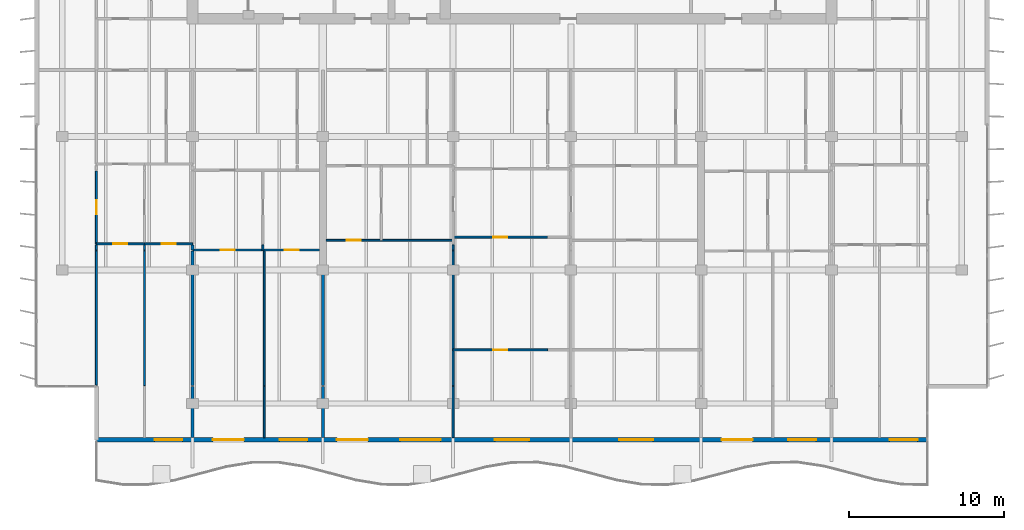
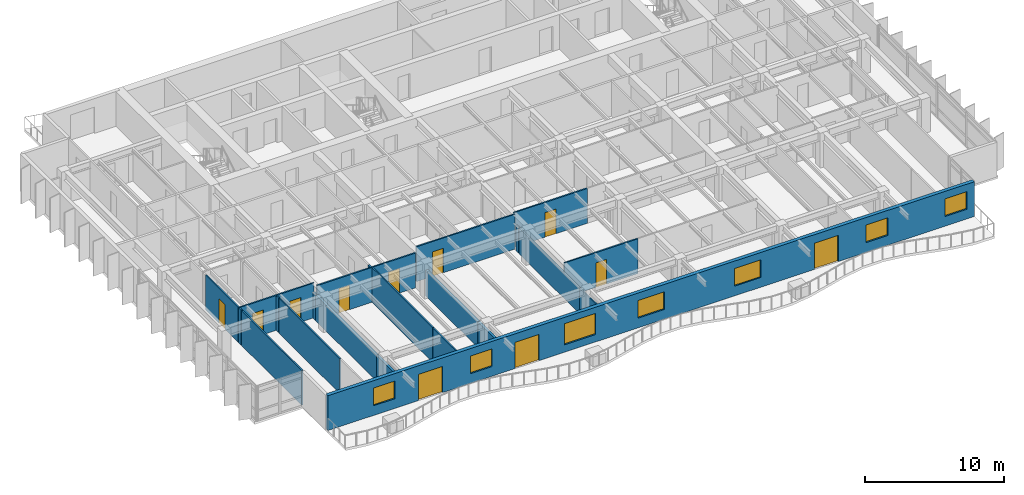
# One storey, part 6 of 17: 23 walls, 11 doors, 7 windows, 18 openings.
"""IFC4 building model written with IfcOpenShell, lengths in metres."""

from ifc_helpers import new_model, si_unit, direction, frame, frame_2d, origin, place, context, subcontext, project, spatial, rectangle, extrude, material, layer, layer_set, type_object, element, fill, save


model = new_model("IFC4")

# Units and contexts
model_context = context("Model", 3, precision=1e-05, world=origin(), true_north=direction((0.0, 1.0)))
body_context = subcontext(model_context, "Body", "Model", "MODEL_VIEW")
ifc_project = project(units=[si_unit("LENGTHUNIT", "METRE"), si_unit("AREAUNIT", "SQUARE_METRE"), si_unit("VOLUMEUNIT", "CUBIC_METRE"), si_unit("PLANEANGLEUNIT", "RADIAN"), si_unit("MASSUNIT", "GRAM", prefix="KILO")], contexts=[model_context])

# Site, building, storey
site_placement = place(None, origin())
site = spatial("IfcSite", under=ifc_project, at=site_placement, CompositionType="ELEMENT")
building_placement = place(site_placement, origin())
building = spatial("IfcBuilding", under=site, at=building_placement, Name="Caelmar Bay Residences", CompositionType="ELEMENT")
storey_placement = place(building_placement, frame((0.0, 0.0, 243.0)))
storey = spatial("IfcBuildingStorey", under=building, at=storey_placement, Name="L68", CompositionType="ELEMENT", Elevation=243.0)

# Wall, openings, doors, windows
ifc_material_1 = material(Name="Precast concrete f'c 40 MPa (6,000 psi)", Category="concrete")
ifc_layer_1 = layer(ifc_material_1, 0.300048828125)
ifc_layer_set_1 = layer_set([ifc_layer_1], Name="Precast concrete f'c 40 MPa (6,000 psi)")
wall_type_1 = type_object("IfcWallType", Name="W-EXT-300", PredefinedType="STANDARD", material=ifc_layer_set_1)
wall_1_placement = place(storey_placement, frame((65.699951171875, 9.85009765625, 0.0), z_axis=(0.0, 0.0, 1.0), x_axis=(-1.0, 0.0, 0.0)))
wall_1 = element("IfcWall", 1, at=wall_1_placement, inside=storey, type_object=wall_type_1, Name="L68 South Bayfront Exterior Wall", PredefinedType="STANDARD", context=body_context, shape_type="SweptSolid", body=[
    extrude(rectangle(XDim=53.599853515625, YDim=0.300048828125, at=frame_2d((26.7998046875, 0.0))), origin(), (0.0, 0.0, 1.0), 3.050048828125),
])
opening_1_placement = place(wall_1_placement, frame((48.050048828125, 0.0, 0.85009765625)))
opening_1 = element("IfcOpeningElement", 2, at=opening_1_placement, cuts=wall_1, Name="Opening WN1", PredefinedType="OPENING", context=body_context, shape_type="SweptSolid", body=[
    extrude(rectangle(XDim=1.800048828125, YDim=1.550048828125, at=frame_2d((0.89990234375, 0.77490234375))), frame((0.0, 0.159912109375, 0.0), z_axis=(0.0, -1.0, 0.0), x_axis=(1.0, 0.0, 0.0)), (0.0, 0.0, 1.0), 0.320068359375),
])
opening_2_placement = place(wall_1_placement, frame((44.090087890625, 0.0, 0.0)))
opening_2 = element("IfcOpeningElement", 3, at=opening_2_placement, cuts=wall_1, Name="Opening L68-BD01", PredefinedType="OPENING", context=body_context, shape_type="SweptSolid", body=[
    extrude(rectangle(XDim=2.0, YDim=2.300048828125, at=frame_2d((1.0, 1.14990234375))), frame((0.0, 0.159912109375, 0.0), z_axis=(0.0, -1.0, 0.0), x_axis=(1.0, 0.0, 0.0)), (0.0, 0.0, 1.0), 0.320068359375),
])
opening_3_placement = place(wall_1_placement, frame((39.989990234375, 0.0, 0.85009765625)))
opening_3 = element("IfcOpeningElement", 4, at=opening_3_placement, cuts=wall_1, Name="Opening WN1", PredefinedType="OPENING", context=body_context, shape_type="SweptSolid", body=[
    extrude(rectangle(XDim=1.800048828125, YDim=1.550048828125, at=frame_2d((0.89990234375, 0.77490234375))), frame((0.0, 0.159912109375, 0.0), z_axis=(0.0, -1.0, 0.0), x_axis=(1.0, 0.0, 0.0)), (0.0, 0.0, 1.0), 0.320068359375),
])
opening_4_placement = place(wall_1_placement, frame((36.090087890625, 0.0, 0.0)))
opening_4 = element("IfcOpeningElement", 5, at=opening_4_placement, cuts=wall_1, Name="Opening L68-BD02", PredefinedType="OPENING", context=body_context, shape_type="SweptSolid", body=[
    extrude(rectangle(XDim=2.0, YDim=2.300048828125, at=frame_2d((1.0, 1.14990234375))), frame((0.0, 0.159912109375, 0.0), z_axis=(0.0, -1.0, 0.0), x_axis=(1.0, 0.0, 0.0)), (0.0, 0.0, 1.0), 0.320068359375),
])
opening_5_placement = place(wall_1_placement, frame((31.409912109375, 0.0, 0.64990234375)))
opening_5 = element("IfcOpeningElement", 6, at=opening_5_placement, cuts=wall_1, Name="Opening WN3", PredefinedType="OPENING", context=body_context, shape_type="SweptSolid", body=[
    extrude(rectangle(XDim=2.60009765625, YDim=1.85009765625, at=frame_2d((1.300048828125, 0.925048828125))), frame((0.0, 0.159912109375, 0.0), z_axis=(0.0, -1.0, 0.0), x_axis=(1.0, 0.0, 0.0)), (0.0, 0.0, 1.0), 0.320068359375),
])
opening_6_placement = place(wall_1_placement, frame((25.699951171875, 0.0, 0.85009765625)))
opening_6 = element("IfcOpeningElement", 7, at=opening_6_placement, cuts=wall_1, Name="Opening WN2", PredefinedType="OPENING", context=body_context, shape_type="SweptSolid", body=[
    extrude(rectangle(XDim=2.199951171875, YDim=1.550048828125, at=frame_2d((1.10009765625, 0.77490234375))), frame((0.0, 0.159912109375, 0.0), z_axis=(0.0, -1.0, 0.0), x_axis=(1.0, 0.0, 0.0)), (0.0, 0.0, 1.0), 0.320068359375),
])
opening_7_placement = place(wall_1_placement, frame((17.699951171875, 0.0, 0.85009765625)))
opening_7 = element("IfcOpeningElement", 8, at=opening_7_placement, cuts=wall_1, Name="Opening WN2", PredefinedType="OPENING", context=body_context, shape_type="SweptSolid", body=[
    extrude(rectangle(XDim=2.199951171875, YDim=1.550048828125, at=frame_2d((1.10009765625, 0.77490234375))), frame((0.0, 0.159912109375, 0.0), z_axis=(0.0, -1.0, 0.0), x_axis=(1.0, 0.0, 0.0)), (0.0, 0.0, 1.0), 0.320068359375),
])
opening_8_placement = place(wall_1_placement, frame((11.2900390625, 0.0, 0.0)))
opening_8 = element("IfcOpeningElement", 9, at=opening_8_placement, cuts=wall_1, Name="Opening L68-BD03", PredefinedType="OPENING", context=body_context, shape_type="SweptSolid", body=[
    extrude(rectangle(XDim=2.0, YDim=2.300048828125, at=frame_2d((1.0, 1.14990234375))), frame((0.0, 0.159912109375, 0.0), z_axis=(0.0, -1.0, 0.0), x_axis=(1.0, 0.0, 0.0)), (0.0, 0.0, 1.0), 0.320068359375),
])
opening_9_placement = place(wall_1_placement, frame((7.18994140625, 0.0, 0.85009765625)))
opening_9 = element("IfcOpeningElement", 10, at=opening_9_placement, cuts=wall_1, Name="Opening WN1", PredefinedType="OPENING", context=body_context, shape_type="SweptSolid", body=[
    extrude(rectangle(XDim=1.800048828125, YDim=1.550048828125, at=frame_2d((0.89990234375, 0.77490234375))), frame((0.0, 0.159912109375, 0.0), z_axis=(0.0, -1.0, 0.0), x_axis=(1.0, 0.0, 0.0)), (0.0, 0.0, 1.0), 0.320068359375),
])
opening_10_placement = place(wall_1_placement, frame((0.64990234375, 0.0, 0.85009765625)))
opening_10 = element("IfcOpeningElement", 11, at=opening_10_placement, cuts=wall_1, Name="Opening WN1", PredefinedType="OPENING", context=body_context, shape_type="SweptSolid", body=[
    extrude(rectangle(XDim=1.800048828125, YDim=1.550048828125, at=frame_2d((0.89990234375, 0.77490234375))), frame((0.0, 0.159912109375, 0.0), z_axis=(0.0, -1.0, 0.0), x_axis=(1.0, 0.0, 0.0)), (0.0, 0.0, 1.0), 0.320068359375),
])
ifc_material_2 = material(Name="Anodised bronze thermally broken sliding glass door", Category="glass")
ifc_layer_2 = layer(ifc_material_2, 0.050048828125)
ifc_layer_set_2 = layer_set([ifc_layer_2], Name="Anodised bronze thermally broken sliding glass door")
door_type_1 = type_object("IfcDoorType", Name="D-BAL-2000", OperationType="DOUBLE_DOOR_SLIDING", PredefinedType="DOOR", material=ifc_layer_set_2)
door_1_placement = place(opening_2_placement, origin())
door_1 = element("IfcDoor", 12, at=door_1_placement, inside=storey, type_object=door_type_1, Name="L68 Residence 02 Living Room Balcony Door", OperationType="DOUBLE_DOOR_SLIDING", OverallHeight=2.300048828125, OverallWidth=2.0, PredefinedType="DOOR", context=body_context, shape_type="SweptSolid", body=[
    extrude(rectangle(XDim=2.0, YDim=2.300048828125, at=frame_2d((1.0, 1.14990234375))), frame((0.0, 0.02490234375, 0.0), z_axis=(0.0, -1.0, 0.0), x_axis=(1.0, 0.0, 0.0)), (0.0, 0.0, 1.0), 0.050048828125),
])
fill(opening_2, door_1)
door_2_placement = place(opening_4_placement, origin())
door_2 = element("IfcDoor", 13, at=door_2_placement, inside=storey, type_object=door_type_1, Name="L68 Residence 03 Penthouse Living Salon Balcony Door", OperationType="DOUBLE_DOOR_SLIDING", OverallHeight=2.300048828125, OverallWidth=2.0, PredefinedType="DOOR", context=body_context, shape_type="SweptSolid", body=[
    extrude(rectangle(XDim=2.0, YDim=2.300048828125, at=frame_2d((1.0, 1.14990234375))), frame((0.0, 0.02490234375, 0.0), z_axis=(0.0, -1.0, 0.0), x_axis=(1.0, 0.0, 0.0)), (0.0, 0.0, 1.0), 0.050048828125),
])
fill(opening_4, door_2)
door_3_placement = place(opening_8_placement, origin())
door_3 = element("IfcDoor", 14, at=door_3_placement, inside=storey, type_object=door_type_1, Name="L68 Residence 04 Living Room Balcony Door", OperationType="DOUBLE_DOOR_SLIDING", OverallHeight=2.300048828125, OverallWidth=2.0, PredefinedType="DOOR", context=body_context, shape_type="SweptSolid", body=[
    extrude(rectangle(XDim=2.0, YDim=2.300048828125, at=frame_2d((1.0, 1.14990234375))), frame((0.0, 0.02490234375, 0.0), z_axis=(0.0, -1.0, 0.0), x_axis=(1.0, 0.0, 0.0)), (0.0, 0.0, 1.0), 0.050048828125),
])
fill(opening_8, door_3)
ifc_material_3 = material(Name="Bronze aluminium frame with laminated low-E glass", Category="aluminium")
ifc_layer_3 = layer(ifc_material_3, 0.06005859375)
ifc_layer_set_3 = layer_set([ifc_layer_3], Name="Bronze aluminium frame with laminated low-E glass")
window_type_1 = type_object("IfcWindowType", Name="WIN-BR-1800", PartitioningType="SINGLE_PANEL", PredefinedType="WINDOW", material=ifc_layer_set_3)
window_1_placement = place(opening_1_placement, origin())
window_1 = element("IfcWindow", 15, at=window_1_placement, inside=storey, type_object=window_type_1, Name="L68 Residence 01 Primary Bedroom Window", OverallHeight=1.550048828125, OverallWidth=1.800048828125, PartitioningType="SINGLE_PANEL", PredefinedType="WINDOW", context=body_context, shape_type="SweptSolid", body=[
    extrude(rectangle(XDim=1.800048828125, YDim=1.550048828125, at=frame_2d((0.89990234375, 0.77490234375))), frame((0.0, 0.030029296875, 0.0), z_axis=(0.0, -1.0, 0.0), x_axis=(1.0, 0.0, 0.0)), (0.0, 0.0, 1.0), 0.06005859375),
])
fill(opening_1, window_1)
window_2_placement = place(opening_3_placement, origin())
window_2 = element("IfcWindow", 16, at=window_2_placement, inside=storey, type_object=window_type_1, Name="L68 Residence 02 Primary Bedroom Window", OverallHeight=1.550048828125, OverallWidth=1.800048828125, PartitioningType="SINGLE_PANEL", PredefinedType="WINDOW", context=body_context, shape_type="SweptSolid", body=[
    extrude(rectangle(XDim=1.800048828125, YDim=1.550048828125, at=frame_2d((0.89990234375, 0.77490234375))), frame((0.0, 0.030029296875, 0.0), z_axis=(0.0, -1.0, 0.0), x_axis=(1.0, 0.0, 0.0)), (0.0, 0.0, 1.0), 0.06005859375),
])
fill(opening_3, window_2)
window_3_placement = place(opening_9_placement, origin())
window_3 = element("IfcWindow", 17, at=window_3_placement, inside=storey, type_object=window_type_1, Name="L68 Residence 04 Primary Bedroom Window", OverallHeight=1.550048828125, OverallWidth=1.800048828125, PartitioningType="SINGLE_PANEL", PredefinedType="WINDOW", context=body_context, shape_type="SweptSolid", body=[
    extrude(rectangle(XDim=1.800048828125, YDim=1.550048828125, at=frame_2d((0.89990234375, 0.77490234375))), frame((0.0, 0.030029296875, 0.0), z_axis=(0.0, -1.0, 0.0), x_axis=(1.0, 0.0, 0.0)), (0.0, 0.0, 1.0), 0.06005859375),
])
fill(opening_9, window_3)
window_4_placement = place(opening_10_placement, origin())
window_4 = element("IfcWindow", 18, at=window_4_placement, inside=storey, type_object=window_type_1, Name="L68 Residence 05 Primary Bedroom Window", OverallHeight=1.550048828125, OverallWidth=1.800048828125, PartitioningType="SINGLE_PANEL", PredefinedType="WINDOW", context=body_context, shape_type="SweptSolid", body=[
    extrude(rectangle(XDim=1.800048828125, YDim=1.550048828125, at=frame_2d((0.89990234375, 0.77490234375))), frame((0.0, 0.030029296875, 0.0), z_axis=(0.0, -1.0, 0.0), x_axis=(1.0, 0.0, 0.0)), (0.0, 0.0, 1.0), 0.06005859375),
])
fill(opening_10, window_4)
ifc_layer_4 = layer(ifc_material_3, 0.06005859375)
ifc_layer_set_4 = layer_set([ifc_layer_4], Name="Bronze aluminium frame with laminated low-E glass")
window_type_2 = type_object("IfcWindowType", Name="WIN-BR-2200", PartitioningType="SINGLE_PANEL", PredefinedType="WINDOW", material=ifc_layer_set_4)
window_5_placement = place(opening_6_placement, origin())
window_5 = element("IfcWindow", 19, at=window_5_placement, inside=storey, type_object=window_type_2, Name="L68 Residence 03 Primary Bedroom 1 Window", OverallHeight=1.550048828125, OverallWidth=2.199951171875, PartitioningType="SINGLE_PANEL", PredefinedType="WINDOW", context=body_context, shape_type="SweptSolid", body=[
    extrude(rectangle(XDim=2.199951171875, YDim=1.550048828125, at=frame_2d((1.10009765625, 0.77490234375))), frame((0.0, 0.030029296875, 0.0), z_axis=(0.0, -1.0, 0.0), x_axis=(1.0, 0.0, 0.0)), (0.0, 0.0, 1.0), 0.06005859375),
])
fill(opening_6, window_5)
window_6_placement = place(opening_7_placement, origin())
window_6 = element("IfcWindow", 20, at=window_6_placement, inside=storey, type_object=window_type_2, Name="L68 Residence 03 Primary Bedroom 2 Window", OverallHeight=1.550048828125, OverallWidth=2.199951171875, PartitioningType="SINGLE_PANEL", PredefinedType="WINDOW", context=body_context, shape_type="SweptSolid", body=[
    extrude(rectangle(XDim=2.199951171875, YDim=1.550048828125, at=frame_2d((1.10009765625, 0.77490234375))), frame((0.0, 0.030029296875, 0.0), z_axis=(0.0, -1.0, 0.0), x_axis=(1.0, 0.0, 0.0)), (0.0, 0.0, 1.0), 0.06005859375),
])
fill(opening_7, window_6)
ifc_layer_5 = layer(ifc_material_3, 0.06005859375)
ifc_layer_set_5 = layer_set([ifc_layer_5], Name="Bronze aluminium frame with laminated low-E glass")
window_type_3 = type_object("IfcWindowType", Name="WIN-LIV-2600", PartitioningType="SINGLE_PANEL", PredefinedType="WINDOW", material=ifc_layer_set_5)
window_7_placement = place(opening_5_placement, origin())
window_7 = element("IfcWindow", 21, at=window_7_placement, inside=storey, type_object=window_type_3, Name="L68 Residence 03 Penthouse Living Salon Panoramic Window", OverallHeight=1.85009765625, OverallWidth=2.60009765625, PartitioningType="SINGLE_PANEL", PredefinedType="WINDOW", context=body_context, shape_type="SweptSolid", body=[
    extrude(rectangle(XDim=2.60009765625, YDim=1.85009765625, at=frame_2d((1.300048828125, 0.925048828125))), frame((0.0, 0.030029296875, 0.0), z_axis=(0.0, -1.0, 0.0), x_axis=(1.0, 0.0, 0.0)), (0.0, 0.0, 1.0), 0.06005859375),
])
fill(opening_5, window_7)

# Walls
ifc_material_4 = material(Name="Acoustic metal-stud gypsum partition 120 mm")
ifc_layer_6 = layer(ifc_material_4, 0.1201171875)
ifc_layer_set_6 = layer_set([ifc_layer_6], Name="Acoustic metal-stud gypsum partition 120 mm")
wall_type_2 = type_object("IfcWallType", Name="W-PRT-120", PredefinedType="PARTITIONING", material=ifc_layer_set_6)
wall_2_placement = place(storey_placement, frame((12.10009765625, 13.385009765625, 0.0), z_axis=(0.0, 0.0, 1.0), x_axis=(0.0, 1.0, 0.0)))
element("IfcWall", 22, at=wall_2_placement, inside=storey, type_object=wall_type_2, Name="L68 Partition Wall V001", PredefinedType="PARTITIONING", context=body_context, shape_type="SweptSolid", body=[
    extrude(rectangle(XDim=8.64501953125, YDim=0.1201171875, at=frame_2d((4.322509765625, 0.0))), origin(), (0.0, 0.0, 1.0), 3.050048828125),
])
wall_3_placement = place(storey_placement, frame((12.10009765625, 22.090087890625, 0.0), z_axis=(0.0, 0.0, 1.0), x_axis=(0.0, 1.0, 0.0)))
element("IfcWall", 23, at=wall_3_placement, inside=storey, type_object=wall_type_2, Name="L68 Partition Wall V002", PredefinedType="PARTITIONING", context=body_context, shape_type="SweptSolid", body=[
    extrude(rectangle(XDim=0.33984375, YDim=0.1201171875, at=frame_2d((0.169921875, 0.0))), origin(), (0.0, 0.0, 1.0), 3.050048828125),
])

# Wall, opening, door
wall_4_placement = place(storey_placement, frame((12.10009765625, 22.489990234375, 0.0), z_axis=(0.0, 0.0, 1.0), x_axis=(0.0, 1.0, 0.0)))
wall_4 = element("IfcWall", 24, at=wall_4_placement, inside=storey, type_object=wall_type_2, Name="L68 Partition Wall V003", PredefinedType="PARTITIONING", context=body_context, shape_type="SweptSolid", body=[
    extrude(rectangle(XDim=4.68994140625, YDim=0.1201171875, at=frame_2d((2.344970703125, 0.0))), origin(), (0.0, 0.0, 1.0), 3.050048828125),
])
opening_11_placement = place(wall_4_placement, frame((1.89501953125, 0.0, 0.0)))
opening_11 = element("IfcOpeningElement", 25, at=opening_11_placement, cuts=wall_4, Name="Opening D-L68-160", PredefinedType="OPENING", context=body_context, shape_type="SweptSolid", body=[
    extrude(rectangle(XDim=0.89990234375, YDim=2.14990234375, at=frame_2d((0.449951171875, 1.074951171875))), frame((0.0, 0.070068359375, 0.0), z_axis=(0.0, -1.0, 0.0), x_axis=(1.0, 0.0, 0.0)), (0.0, 0.0, 1.0), 0.14013671875),
])
ifc_material_5 = material(Name="Solid walnut timber interior door leaf and frame", Category="wood")
ifc_layer_7 = layer(ifc_material_5, 0.050048828125)
ifc_layer_set_7 = layer_set([ifc_layer_7], Name="Solid walnut timber interior door leaf and frame")
door_type_2 = type_object("IfcDoorType", Name="D-ROOM-900", OperationType="NOTDEFINED", PredefinedType="DOOR", material=ifc_layer_set_7)
door_4_placement = place(opening_11_placement, origin())
door_4 = element("IfcDoor", 26, at=door_4_placement, inside=storey, type_object=door_type_2, Name="L68 Residence 01 Penthouse West Salon Door", OperationType="SINGLE_SWING_RIGHT", OverallHeight=2.14990234375, OverallWidth=0.89990234375, PredefinedType="DOOR", context=body_context, shape_type="SweptSolid", body=[
    extrude(rectangle(XDim=0.89990234375, YDim=2.14990234375, at=frame_2d((0.449951171875, 1.074951171875))), frame((0.0, 0.02490234375, 0.0), z_axis=(0.0, -1.0, 0.0), x_axis=(1.0, 0.0, 0.0)), (0.0, 0.0, 1.0), 0.050048828125),
])
fill(opening_11, door_4)

# Walls
wall_5_placement = place(storey_placement, frame((15.199951171875, 13.340087890625, 0.0), z_axis=(0.0, 0.0, 1.0), x_axis=(0.0, 1.0, 0.0)))
element("IfcWall", 27, at=wall_5_placement, inside=storey, type_object=wall_type_2, Name="L68 Partition Wall V011", PredefinedType="PARTITIONING", context=body_context, shape_type="SweptSolid", body=[
    extrude(rectangle(XDim=8.68994140625, YDim=0.1201171875, at=frame_2d((4.344970703125, 0.0))), origin(), (0.0, 0.0, 1.0), 3.050048828125),
])
for number, where, z_axis, x_axis, name in (
    (28, (15.199951171875, 22.090087890625, 0.0), (0.0, 0.0, 1.0), (0.0, 1.0, 0.0), "L68 Partition Wall V012"),
    (29, (22.8359375, 22.090087890625, 0.0), (0.0, 0.0, 1.0), (0.0, 1.0, 0.0), "L68 Partition Wall V022"),
):
    element("IfcWall", number, at=place(storey_placement, frame(where, z_axis=z_axis, x_axis=x_axis)), inside=storey, type_object=wall_type_2, Name=name, PredefinedType="PARTITIONING", context=body_context, shape_type="SweptSolid", body=[
        extrude(rectangle(XDim=0.33984375, YDim=0.1201171875, at=frame_2d((0.169921875, 0.0))), origin(), (0.0, 0.0, 1.0), 3.050048828125),
    ])
wall_6_placement = place(storey_placement, frame((22.919921875, 9.9951171875, 0.0), z_axis=(0.0, 0.0, 1.0), x_axis=(0.0, 1.0, 0.0)))
element("IfcWall", 30, at=wall_6_placement, inside=storey, type_object=wall_type_2, Name="L68 Partition Wall V024", PredefinedType="PARTITIONING", context=body_context, shape_type="SweptSolid", body=[
    extrude(rectangle(XDim=3.304931640625, YDim=0.1201171875, at=frame_2d((1.65234375, 0.0))), origin(), (0.0, 0.0, 1.0), 3.050048828125),
])
wall_7_placement = place(storey_placement, frame((22.919921875, 13.340087890625, 0.0), z_axis=(0.0, 0.0, 1.0), x_axis=(0.0, 1.0, 0.0)))
element("IfcWall", 31, at=wall_7_placement, inside=storey, type_object=wall_type_2, Name="L68 Partition Wall V025", PredefinedType="PARTITIONING", context=body_context, shape_type="SweptSolid", body=[
    extrude(rectangle(XDim=8.68994140625, YDim=0.1201171875, at=frame_2d((4.344970703125, 0.0))), origin(), (0.0, 0.0, 1.0), 3.050048828125),
])
wall_8_placement = place(storey_placement, frame((35.10009765625, 9.9951171875, 0.0), z_axis=(0.0, 0.0, 1.0), x_axis=(0.0, 1.0, 0.0)))
element("IfcWall", 32, at=wall_8_placement, inside=storey, type_object=wall_type_2, Name="L68 Partition Wall V038", PredefinedType="PARTITIONING", context=body_context, shape_type="SweptSolid", body=[
    extrude(rectangle(XDim=3.304931640625, YDim=0.1201171875, at=frame_2d((1.65234375, 0.0))), origin(), (0.0, 0.0, 1.0), 2.262939453125),
])
wall_9_placement = place(storey_placement, frame((35.10009765625, 13.340087890625, 0.0), z_axis=(0.0, 0.0, 1.0), x_axis=(0.0, 1.0, 0.0)))
element("IfcWall", 33, at=wall_9_placement, inside=storey, type_object=wall_type_2, Name="L68 Partition Wall V039", PredefinedType="PARTITIONING", context=body_context, shape_type="SweptSolid", body=[
    extrude(rectangle(XDim=8.68994140625, YDim=0.1201171875, at=frame_2d((4.344970703125, 0.0))), origin(), (0.0, 0.0, 1.0), 2.262939453125),
])
wall_10_placement = place(storey_placement, frame((35.10009765625, 22.090087890625, 0.0), z_axis=(0.0, 0.0, 1.0), x_axis=(0.0, 1.0, 0.0)))
element("IfcWall", 34, at=wall_10_placement, inside=storey, type_object=wall_type_2, Name="L68 Partition Wall V040", PredefinedType="PARTITIONING", context=body_context, shape_type="SweptSolid", body=[
    extrude(rectangle(XDim=0.33984375, YDim=0.1201171875, at=frame_2d((0.169921875, 0.0))), origin(), (0.0, 0.0, 1.0), 2.262939453125),
])

# Wall, opening, door
wall_11_placement = place(storey_placement, frame((35.10009765625, 15.64990234375, 0.0), z_axis=(0.0, 0.0, 1.0), x_axis=(1.0, 0.0, 0.0)))
wall_11 = element("IfcWall", 35, at=wall_11_placement, inside=storey, type_object=wall_type_2, Name="L68 Partition Wall H089", PredefinedType="PARTITIONING", context=body_context, shape_type="SweptSolid", body=[
    extrude(rectangle(XDim=6.094970703125, YDim=0.1201171875, at=frame_2d((3.04736328125, 0.0))), origin(), (0.0, 0.0, 1.0), 3.050048828125),
])
opening_12_placement = place(wall_11_placement, frame((2.597412109375, 0.0, 0.0)))
opening_12 = element("IfcOpeningElement", 36, at=opening_12_placement, cuts=wall_11, Name="Opening D-L68-143", PredefinedType="OPENING", context=body_context, shape_type="SweptSolid", body=[
    extrude(rectangle(XDim=0.89990234375, YDim=2.14990234375, at=frame_2d((0.449951171875, 1.074951171875))), frame((0.0, 0.070068359375, 0.0), z_axis=(0.0, -1.0, 0.0), x_axis=(1.0, 0.0, 0.0)), (0.0, 0.0, 1.0), 0.14013671875),
])
door_5_placement = place(opening_12_placement, origin())
door_5 = element("IfcDoor", 37, at=door_5_placement, inside=storey, type_object=door_type_2, Name="L68 Residence 03 Primary Bedroom 1 Door", OperationType="SINGLE_SWING_LEFT", OverallHeight=2.14990234375, OverallWidth=0.89990234375, PredefinedType="DOOR", context=body_context, shape_type="SweptSolid", body=[
    extrude(rectangle(XDim=0.89990234375, YDim=2.14990234375, at=frame_2d((0.449951171875, 1.074951171875))), frame((0.0, 0.02490234375, 0.0), z_axis=(0.0, -1.0, 0.0), x_axis=(1.0, 0.0, 0.0)), (0.0, 0.0, 1.0), 0.050048828125),
])
fill(opening_12, door_5)

# Wall, openings, doors
wall_12_placement = place(storey_placement, frame((18.300048828125, 22.090087890625, 0.0), z_axis=(0.0, 0.0, 1.0), x_axis=(1.0, 0.0, 0.0)))
wall_12 = element("IfcWall", 38, at=wall_12_placement, inside=storey, type_object=wall_type_2, Name="L68 Partition Wall H092", PredefinedType="PARTITIONING", context=body_context, shape_type="SweptSolid", body=[
    extrude(rectangle(XDim=8.179931640625, YDim=0.1201171875, at=frame_2d((4.08984375, 0.0))), origin(), (0.0, 0.0, 1.0), 3.050048828125),
])
opening_13_placement = place(wall_12_placement, frame((1.818115234375, 0.0, 0.0)))
opening_13 = element("IfcOpeningElement", 39, at=opening_13_placement, cuts=wall_12, Name="Opening D-L68-132", PredefinedType="OPENING", context=body_context, shape_type="SweptSolid", body=[
    extrude(rectangle(XDim=0.89990234375, YDim=2.14990234375, at=frame_2d((0.449951171875, 1.074951171875))), frame((0.0, 0.070068359375, 0.0), z_axis=(0.0, -1.0, 0.0), x_axis=(1.0, 0.0, 0.0)), (0.0, 0.0, 1.0), 0.14013671875),
])
opening_14_placement = place(wall_12_placement, frame((5.949951171875, 0.0, 0.0)))
opening_14 = element("IfcOpeningElement", 40, at=opening_14_placement, cuts=wall_12, Name="Opening D-L68-133", PredefinedType="OPENING", context=body_context, shape_type="SweptSolid", body=[
    extrude(rectangle(XDim=0.89990234375, YDim=2.14990234375, at=frame_2d((0.449951171875, 1.074951171875))), frame((0.0, 0.070068359375, 0.0), z_axis=(0.0, -1.0, 0.0), x_axis=(1.0, 0.0, 0.0)), (0.0, 0.0, 1.0), 0.14013671875),
])
door_6_placement = place(opening_13_placement, origin())
door_6 = element("IfcDoor", 41, at=door_6_placement, inside=storey, type_object=door_type_2, Name="L68 Residence 02 Living Room Door", OperationType="SINGLE_SWING_RIGHT", OverallHeight=2.14990234375, OverallWidth=0.89990234375, PredefinedType="DOOR", context=body_context, shape_type="SweptSolid", body=[
    extrude(rectangle(XDim=0.89990234375, YDim=2.14990234375, at=frame_2d((0.449951171875, 1.074951171875))), frame((0.0, 0.02490234375, 0.0), z_axis=(0.0, -1.0, 0.0), x_axis=(1.0, 0.0, 0.0)), (0.0, 0.0, 1.0), 0.050048828125),
])
fill(opening_13, door_6)
door_7_placement = place(opening_14_placement, origin())
door_7 = element("IfcDoor", 42, at=door_7_placement, inside=storey, type_object=door_type_2, Name="L68 Residence 02 Primary Bedroom Door", OperationType="SINGLE_SWING_LEFT", OverallHeight=2.14990234375, OverallWidth=0.89990234375, PredefinedType="DOOR", context=body_context, shape_type="SweptSolid", body=[
    extrude(rectangle(XDim=0.89990234375, YDim=2.14990234375, at=frame_2d((0.449951171875, 1.074951171875))), frame((0.0, 0.02490234375, 0.0), z_axis=(0.0, -1.0, 0.0), x_axis=(1.0, 0.0, 0.0)), (0.0, 0.0, 1.0), 0.050048828125),
])
fill(opening_14, door_7)

# Wall, opening, door
wall_13_placement = place(storey_placement, frame((12.10009765625, 22.489990234375, 0.0), z_axis=(0.0, 0.0, 1.0), x_axis=(1.0, 0.0, 0.0)))
wall_13 = element("IfcWall", 43, at=wall_13_placement, inside=storey, type_object=wall_type_2, Name="L68 Partition Wall H094", PredefinedType="PARTITIONING", context=body_context, shape_type="SweptSolid", body=[
    extrude(rectangle(XDim=3.097900390625, YDim=0.1201171875, at=frame_2d((1.548828125, 0.0))), origin(), (0.0, 0.0, 1.0), 3.050048828125),
])
opening_15_placement = place(wall_13_placement, frame((1.09912109375, 0.0, 0.0)))
opening_15 = element("IfcOpeningElement", 44, at=opening_15_placement, cuts=wall_13, Name="Opening D-L68-126", PredefinedType="OPENING", context=body_context, shape_type="SweptSolid", body=[
    extrude(rectangle(XDim=0.89990234375, YDim=2.14990234375, at=frame_2d((0.449951171875, 1.074951171875))), frame((0.0, 0.070068359375, 0.0), z_axis=(0.0, -1.0, 0.0), x_axis=(1.0, 0.0, 0.0)), (0.0, 0.0, 1.0), 0.14013671875),
])
door_8_placement = place(opening_15_placement, origin())
door_8 = element("IfcDoor", 45, at=door_8_placement, inside=storey, type_object=door_type_2, Name="L68 Residence 01 Living Room Door", OperationType="SINGLE_SWING_RIGHT", OverallHeight=2.14990234375, OverallWidth=0.89990234375, PredefinedType="DOOR", context=body_context, shape_type="SweptSolid", body=[
    extrude(rectangle(XDim=0.89990234375, YDim=2.14990234375, at=frame_2d((0.449951171875, 1.074951171875))), frame((0.0, 0.02490234375, 0.0), z_axis=(0.0, -1.0, 0.0), x_axis=(1.0, 0.0, 0.0)), (0.0, 0.0, 1.0), 0.050048828125),
])
fill(opening_15, door_8)

wall_14_placement = place(storey_placement, frame((15.202880859375, 22.489990234375, 0.0), z_axis=(0.0, 0.0, 1.0), x_axis=(1.0, 0.0, 0.0)))
wall_14 = element("IfcWall", 46, at=wall_14_placement, inside=storey, type_object=wall_type_2, Name="L68 Partition Wall H095", PredefinedType="PARTITIONING", context=body_context, shape_type="SweptSolid", body=[
    extrude(rectangle(XDim=3.09716796875, YDim=0.1201171875, at=frame_2d((1.548583984375, 0.0))), origin(), (0.0, 0.0, 1.0), 3.050048828125),
])
opening_16_placement = place(wall_14_placement, frame((1.098388671875, 0.0, 0.0)))
opening_16 = element("IfcOpeningElement", 47, at=opening_16_placement, cuts=wall_14, Name="Opening D-L68-127", PredefinedType="OPENING", context=body_context, shape_type="SweptSolid", body=[
    extrude(rectangle(XDim=0.89990234375, YDim=2.14990234375, at=frame_2d((0.449951171875, 1.074951171875))), frame((0.0, 0.070068359375, 0.0), z_axis=(0.0, -1.0, 0.0), x_axis=(1.0, 0.0, 0.0)), (0.0, 0.0, 1.0), 0.14013671875),
])
door_9_placement = place(opening_16_placement, origin())
door_9 = element("IfcDoor", 48, at=door_9_placement, inside=storey, type_object=door_type_2, Name="L68 Residence 01 Primary Bedroom Door", OperationType="SINGLE_SWING_LEFT", OverallHeight=2.14990234375, OverallWidth=0.89990234375, PredefinedType="DOOR", context=body_context, shape_type="SweptSolid", body=[
    extrude(rectangle(XDim=0.89990234375, YDim=2.14990234375, at=frame_2d((0.449951171875, 1.074951171875))), frame((0.0, 0.02490234375, 0.0), z_axis=(0.0, -1.0, 0.0), x_axis=(1.0, 0.0, 0.0)), (0.0, 0.0, 1.0), 0.050048828125),
])
fill(opening_16, door_9)

wall_15_placement = place(storey_placement, frame((26.919921875, 22.719970703125, 0.0), z_axis=(0.0, 0.0, 1.0), x_axis=(1.0, 0.0, 0.0)))
wall_15 = element("IfcWall", 49, at=wall_15_placement, inside=storey, type_object=wall_type_2, Name="L68 Partition Wall H096", PredefinedType="PARTITIONING", context=body_context, shape_type="SweptSolid", body=[
    extrude(rectangle(XDim=8.18017578125, YDim=0.1201171875, at=frame_2d((4.090087890625, 0.0))), origin(), (0.0, 0.0, 1.0), 3.050048828125),
])
opening_17_placement = place(wall_15_placement, frame((1.330078125, 0.0, 0.0)))
opening_17 = element("IfcOpeningElement", 50, at=opening_17_placement, cuts=wall_15, Name="Opening D-L68-138", PredefinedType="OPENING", context=body_context, shape_type="SweptSolid", body=[
    extrude(rectangle(XDim=0.89990234375, YDim=2.14990234375, at=frame_2d((0.449951171875, 1.074951171875))), frame((0.0, 0.070068359375, 0.0), z_axis=(0.0, -1.0, 0.0), x_axis=(1.0, 0.0, 0.0)), (0.0, 0.0, 1.0), 0.14013671875),
])
door_10_placement = place(opening_17_placement, origin())
door_10 = element("IfcDoor", 51, at=door_10_placement, inside=storey, type_object=door_type_2, Name="L68 Residence 03 Penthouse Living Salon Door", OperationType="SINGLE_SWING_RIGHT", OverallHeight=2.14990234375, OverallWidth=0.89990234375, PredefinedType="DOOR", context=body_context, shape_type="SweptSolid", body=[
    extrude(rectangle(XDim=0.89990234375, YDim=2.14990234375, at=frame_2d((0.449951171875, 1.074951171875))), frame((0.0, 0.02490234375, 0.0), z_axis=(0.0, -1.0, 0.0), x_axis=(1.0, 0.0, 0.0)), (0.0, 0.0, 1.0), 0.050048828125),
])
fill(opening_17, door_10)

wall_16_placement = place(storey_placement, frame((35.10009765625, 22.919921875, 0.0), z_axis=(0.0, 0.0, 1.0), x_axis=(1.0, 0.0, 0.0)))
wall_16 = element("IfcWall", 52, at=wall_16_placement, inside=storey, type_object=wall_type_2, Name="L68 Partition Wall H098", PredefinedType="PARTITIONING", context=body_context, shape_type="SweptSolid", body=[
    extrude(rectangle(XDim=6.094970703125, YDim=0.1201171875, at=frame_2d((3.04736328125, 0.0))), origin(), (0.0, 0.0, 1.0), 3.050048828125),
])
opening_18_placement = place(wall_16_placement, frame((2.597412109375, 0.0, 0.0)))
opening_18 = element("IfcOpeningElement", 53, at=opening_18_placement, cuts=wall_16, Name="Opening D-L68-142", PredefinedType="OPENING", context=body_context, shape_type="SweptSolid", body=[
    extrude(rectangle(XDim=0.89990234375, YDim=2.14990234375, at=frame_2d((0.449951171875, 1.074951171875))), frame((0.0, 0.070068359375, 0.0), z_axis=(0.0, -1.0, 0.0), x_axis=(1.0, 0.0, 0.0)), (0.0, 0.0, 1.0), 0.14013671875),
])
door_11_placement = place(opening_18_placement, origin())
door_11 = element("IfcDoor", 54, at=door_11_placement, inside=storey, type_object=door_type_2, Name="L68 Residence 03 Penthouse Sitting Salon 1 Door", OperationType="SINGLE_SWING_RIGHT", OverallHeight=2.14990234375, OverallWidth=0.89990234375, PredefinedType="DOOR", context=body_context, shape_type="SweptSolid", body=[
    extrude(rectangle(XDim=0.89990234375, YDim=2.14990234375, at=frame_2d((0.449951171875, 1.074951171875))), frame((0.0, 0.02490234375, 0.0), z_axis=(0.0, -1.0, 0.0), x_axis=(1.0, 0.0, 0.0)), (0.0, 0.0, 1.0), 0.050048828125),
])
fill(opening_18, door_11)

# Walls
ifc_material_6 = material(Name="Acoustic twin-stud fire-rated inter-tenancy partition 200 mm")
ifc_layer_8 = layer(ifc_material_6, 0.199951171875)
ifc_layer_set_8 = layer_set([ifc_layer_8], Name="Acoustic twin-stud fire-rated inter-tenancy partition 200 mm")
wall_type_3 = type_object("IfcWallType", Name="W-PTY-200", PredefinedType="PARTITIONING", material=ifc_layer_set_8)
wall_17_placement = place(storey_placement, frame((18.300048828125, 9.9951171875, 0.0), z_axis=(0.0, 0.0, 1.0), x_axis=(0.0, 1.0, 0.0)))
element("IfcWall", 55, at=wall_17_placement, inside=storey, type_object=wall_type_3, Name="L68 Partition Wall V015", PredefinedType="PARTITIONING", context=body_context, shape_type="SweptSolid", body=[
    extrude(rectangle(XDim=3.304931640625, YDim=0.199951171875, at=frame_2d((1.65234375, 0.0))), origin(), (0.0, 0.0, 1.0), 2.262939453125),
])
wall_18_placement = place(storey_placement, frame((18.300048828125, 13.340087890625, 0.0), z_axis=(0.0, 0.0, 1.0), x_axis=(0.0, 1.0, 0.0)))
element("IfcWall", 56, at=wall_18_placement, inside=storey, type_object=wall_type_3, Name="L68 Partition Wall V016", PredefinedType="PARTITIONING", context=body_context, shape_type="SweptSolid", body=[
    extrude(rectangle(XDim=8.68994140625, YDim=0.199951171875, at=frame_2d((4.344970703125, 0.0))), origin(), (0.0, 0.0, 1.0), 2.262939453125),
])
wall_19_placement = place(storey_placement, frame((18.300048828125, 22.090087890625, 0.0), z_axis=(0.0, 0.0, 1.0), x_axis=(0.0, 1.0, 0.0)))
element("IfcWall", 57, at=wall_19_placement, inside=storey, type_object=wall_type_3, Name="L68 Partition Wall V017", PredefinedType="PARTITIONING", context=body_context, shape_type="SweptSolid", body=[
    extrude(rectangle(XDim=0.33984375, YDim=0.199951171875, at=frame_2d((0.169921875, 0.0))), origin(), (0.0, 0.0, 1.0), 2.262939453125),
])
wall_20_placement = place(storey_placement, frame((26.699951171875, 9.9951171875, 0.0), z_axis=(0.0, 0.0, 1.0), x_axis=(0.0, 1.0, 0.0)))
element("IfcWall", 58, at=wall_20_placement, inside=storey, type_object=wall_type_3, Name="L68 Partition Wall V029", PredefinedType="PARTITIONING", context=body_context, shape_type="SweptSolid", body=[
    extrude(rectangle(XDim=3.304931640625, YDim=0.199951171875, at=frame_2d((1.65234375, 0.0))), origin(), (0.0, 0.0, 1.0), 2.262939453125),
])
wall_21_placement = place(storey_placement, frame((26.699951171875, 13.340087890625, 0.0), z_axis=(0.0, 0.0, 1.0), x_axis=(0.0, 1.0, 0.0)))
element("IfcWall", 59, at=wall_21_placement, inside=storey, type_object=wall_type_3, Name="L68 Partition Wall V030", PredefinedType="PARTITIONING", context=body_context, shape_type="SweptSolid", body=[
    extrude(rectangle(XDim=7.454833984375, YDim=0.199951171875, at=frame_2d((3.7275390625, 0.0))), origin(), (0.0, 0.0, 1.0), 2.262939453125),
])

save(model, "model.ifc")
